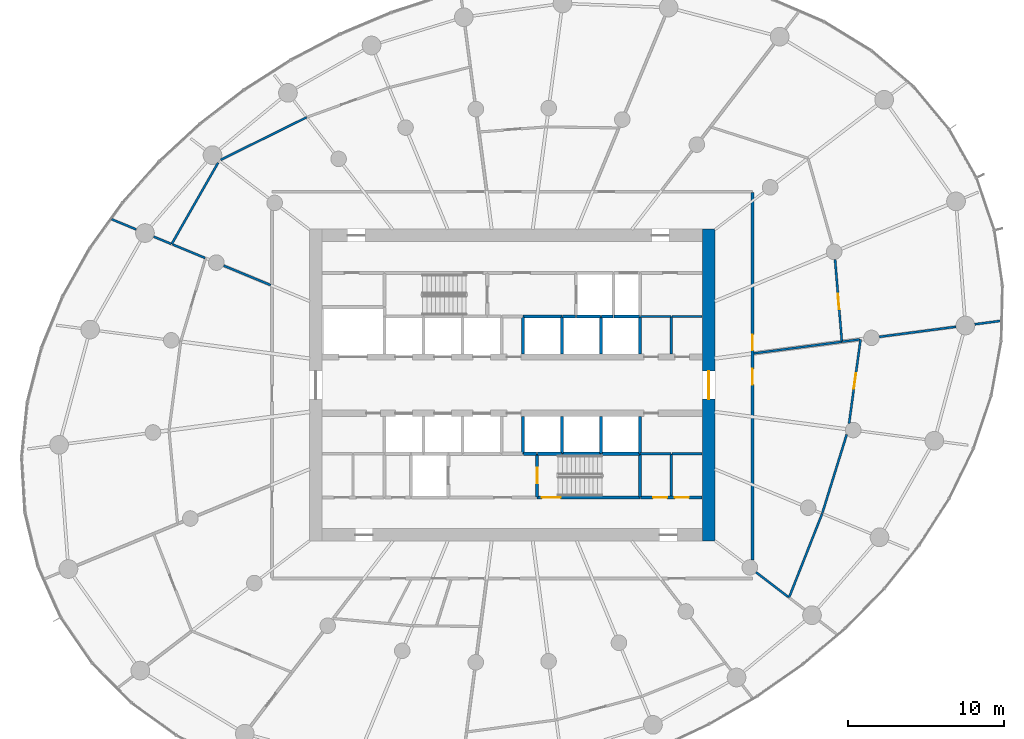
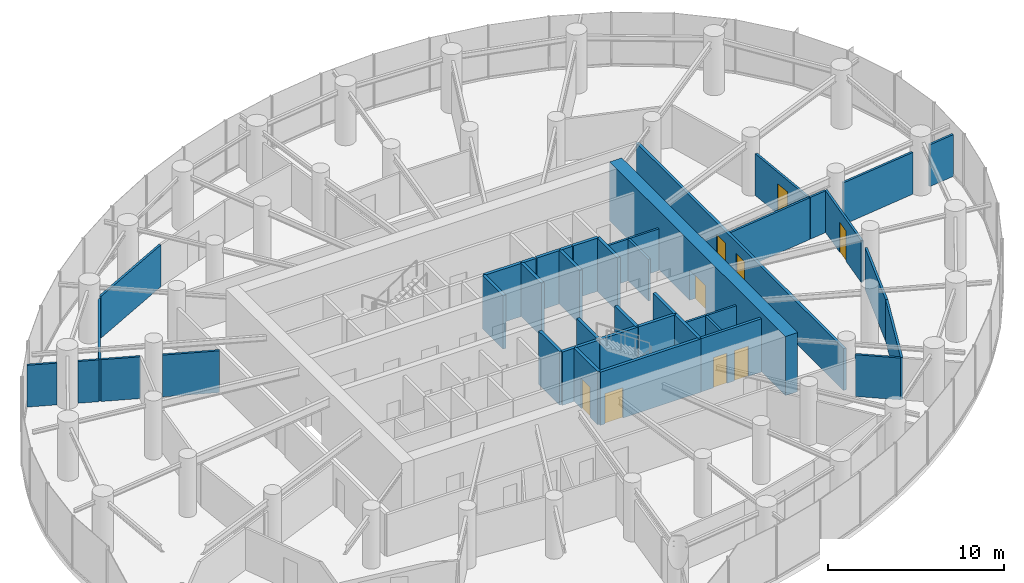
# One storey, part 12 of 17: 44 walls, 9 doors, 9 openings.
"""IFC4 building model written with IfcOpenShell, lengths in metres."""

from ifc_helpers import new_model, si_unit, direction, frame, frame_2d, origin, place, context, subcontext, project, spatial, rectangle, extrude, source, transform, mapped, material, layer, layer_set, type_object, element, fill, save


model = new_model("IFC4")

# Units and contexts
model_context = context("Model", 3, precision=1e-05, world=origin(), true_north=direction((0.0, 1.0)))
body_context = subcontext(model_context, "Body", "Model", "MODEL_VIEW")
ifc_project = project(units=[si_unit("LENGTHUNIT", "METRE"), si_unit("AREAUNIT", "SQUARE_METRE"), si_unit("VOLUMEUNIT", "CUBIC_METRE"), si_unit("PLANEANGLEUNIT", "RADIAN"), si_unit("MASSUNIT", "GRAM", prefix="KILO")], contexts=[model_context])

# Site, building, storey
site_placement = place(None, origin())
site = spatial("IfcSite", under=ifc_project, at=site_placement, CompositionType="ELEMENT")
building_placement = place(site_placement, origin())
building = spatial("IfcBuilding", under=site, at=building_placement, Name="Spindrift Exchange Tower", CompositionType="ELEMENT")
storey_placement = place(building_placement, frame((0.0, 0.0, 92.10009765625)))
storey = spatial("IfcBuildingStorey", under=building, at=storey_placement, Name="L21", CompositionType="ELEMENT", Elevation=92.10009765625)

# Wall, opening, door
ifc_material_1 = material(Name="Concrete 65 MPa", Category="concrete")
ifc_layer_1 = layer(ifc_material_1, 0.800048828125)
ifc_layer_set_1 = layer_set([ifc_layer_1], Name="RC Core Wall 800 Concrete 65 MPa")
wall_type_1 = type_object("IfcWallType", Name="RC Core Wall 800 Concrete 65 MPa", PredefinedType="SHEAR", material=ifc_layer_set_1)
wall_1_placement = place(storey_placement, frame((64.60009765625, 38.0, 0.0), z_axis=(0.0, 0.0, 1.0), x_axis=(0.0, 1.0, 0.0)))
wall_1 = element("IfcWall", 1, at=wall_1_placement, inside=storey, type_object=wall_type_1, Name="Core wall E L21", PredefinedType="SHEAR", context=body_context, shape_type="SweptSolid", body=[
    extrude(rectangle(XDim=20.0, YDim=0.800048828125, at=frame_2d((10.0, 0.0))), origin(), (0.0, 0.0, 1.0), 4.099853515625),
])
opening_1_placement = place(wall_1_placement, frame((9.10009765625, 0.0, 0.0)))
opening_1 = element("IfcOpeningElement", 2, at=opening_1_placement, cuts=wall_1, Name="Opening L21-D2", PredefinedType="OPENING", context=body_context, shape_type="SweptSolid", body=[
    extrude(rectangle(XDim=1.800048828125, YDim=2.10009765625, at=frame_2d((0.89990234375, 1.050048828125))), frame((0.0, 0.409912109375, 0.0), z_axis=(0.0, -1.0, 0.0), x_axis=(1.0, 0.0, 0.0)), (0.0, 0.0, 1.0), 0.820068359375),
])
ifc_material_2 = material(Name="Timber-core fire door", Category="wood")
door_type_1 = type_object("IfcDoorType", Name="DR-LOBBY-1800", OperationType="NOTDEFINED", PredefinedType="DOOR", material=ifc_material_2)
shared_shape_1 = source(origin(), body_context, "Body", "SweptSolid", [
    extrude(rectangle(XDim=1.800048828125, YDim=2.10009765625, at=frame_2d((0.89990234375, 1.050048828125))), frame((0.0, 0.02490234375, 0.0), z_axis=(0.0, -1.0, 0.0), x_axis=(1.0, 0.0, 0.0)), (0.0, 0.0, 1.0), 0.050048828125),
])
door_1_placement = place(opening_1_placement, origin())
door_1 = element("IfcDoor", 3, at=door_1_placement, inside=storey, type_object=door_type_1, Name="L21 Lobby door 2", OperationType="SINGLE_SWING_LEFT", OverallHeight=2.10009765625, OverallWidth=1.800048828125, PredefinedType="DOOR", context=body_context, shape_type="MappedRepresentation", body=[
    mapped(shared_shape_1, transform((0.0, 0.0, 0.0), scale=1.0)),
])
fill(opening_1, door_1)

# Wall, openings, doors
ifc_material_3 = material(Name="Fire-rated plasterboard partition", Category="gypsum")
ifc_layer_2 = layer(ifc_material_3, 0.179931640625)
ifc_layer_set_2 = layer_set([ifc_layer_2], Name="W-CORR-180")
wall_type_2 = type_object("IfcWallType", Name="W-CORR-180", PredefinedType="PARTITIONING", material=ifc_layer_set_2)
wall_2_placement = place(storey_placement, frame((60.22998046875, 40.800048828125, 0.0), z_axis=(0.0, 0.0, 1.0), x_axis=(1.0, 0.0, 0.0)))
wall_2 = element("IfcWall", 4, at=wall_2_placement, inside=storey, type_object=wall_type_2, Name="L21 Partition wall 61", PredefinedType="PARTITIONING", context=body_context, shape_type="SweptSolid", body=[
    extrude(rectangle(XDim=3.949951171875, YDim=0.179931640625, at=frame_2d((1.97509765625, 0.0))), origin(), (0.0, 0.0, 1.0), 3.699951171875),
])
opening_2_placement = place(wall_2_placement, frame((0.800048828125, 0.0, 0.0)))
opening_2 = element("IfcOpeningElement", 5, at=opening_2_placement, cuts=wall_2, Name="Opening L21-D52", PredefinedType="OPENING", context=body_context, shape_type="SweptSolid", body=[
    extrude(rectangle(XDim=0.89990234375, YDim=2.10009765625, at=frame_2d((0.449951171875, 1.050048828125))), frame((0.0, 0.099853515625, 0.0), z_axis=(0.0, -1.0, 0.0), x_axis=(1.0, 0.0, 0.0)), (0.0, 0.0, 1.0), 0.199951171875),
])
opening_3_placement = place(wall_2_placement, frame((2.199951171875, 0.0, 0.0)))
opening_3 = element("IfcOpeningElement", 6, at=opening_3_placement, cuts=wall_2, Name="Opening L21-D53", PredefinedType="OPENING", context=body_context, shape_type="SweptSolid", body=[
    extrude(rectangle(XDim=0.89990234375, YDim=2.10009765625, at=frame_2d((0.449951171875, 1.050048828125))), frame((0.0, 0.099853515625, 0.0), z_axis=(0.0, -1.0, 0.0), x_axis=(1.0, 0.0, 0.0)), (0.0, 0.0, 1.0), 0.199951171875),
])
ifc_material_4 = material(Name="Steel access door", Category="steel")
door_type_2 = type_object("IfcDoorType", Name="DR-RISER-900", OperationType="NOTDEFINED", PredefinedType="DOOR", material=ifc_material_4)
shared_shape_2 = source(origin(), body_context, "Body", "SweptSolid", [
    extrude(rectangle(XDim=0.89990234375, YDim=2.10009765625, at=frame_2d((0.449951171875, 1.050048828125))), frame((0.0, 0.02490234375, 0.0), z_axis=(0.0, -1.0, 0.0), x_axis=(1.0, 0.0, 0.0)), (0.0, 0.0, 1.0), 0.050048828125),
])
door_2_placement = place(opening_2_placement, origin())
door_2 = element("IfcDoor", 7, at=door_2_placement, inside=storey, type_object=door_type_2, Name="L21 Riser door 52", OperationType="SINGLE_SWING_LEFT", OverallHeight=2.10009765625, OverallWidth=0.89990234375, PredefinedType="DOOR", context=body_context, shape_type="MappedRepresentation", body=[
    mapped(shared_shape_2, transform((0.0, 0.0, 0.0), scale=1.0)),
])
fill(opening_2, door_2)
door_3_placement = place(opening_3_placement, origin())
door_3 = element("IfcDoor", 8, at=door_3_placement, inside=storey, type_object=door_type_2, Name="L21 Riser door 53", OperationType="SINGLE_SWING_RIGHT", OverallHeight=2.10009765625, OverallWidth=0.89990234375, PredefinedType="DOOR", context=body_context, shape_type="MappedRepresentation", body=[
    mapped(shared_shape_2, transform((0.0, 0.0, 0.0), scale=1.0)),
])
fill(opening_3, door_3)

# Walls
ifc_layer_3 = layer(ifc_material_3, 0.139892578125)
ifc_layer_set_3 = layer_set([ifc_layer_3], Name="W-PART-140")
wall_type_3 = type_object("IfcWallType", Name="W-PART-140", PredefinedType="PARTITIONING", material=ifc_layer_set_3)
wall_3_placement = place(storey_placement, frame((62.199951171875, 40.889892578125, 0.0), z_axis=(0.0, 0.0, 1.0), x_axis=(0.0, 1.0, 0.0)))
element("IfcWall", 9, at=wall_3_placement, inside=storey, type_object=wall_type_3, Name="L21 Partition wall 105", PredefinedType="PARTITIONING", context=body_context, shape_type="SweptSolid", body=[
    extrude(rectangle(XDim=2.710205078125, YDim=0.139892578125, at=frame_2d((1.35498046875, 0.0))), origin(), (0.0, 0.0, 1.0), 2.89990234375),
])
wall_4_placement = place(storey_placement, frame((62.199951171875, 50.010009765625, 0.0), z_axis=(0.0, 0.0, 1.0), x_axis=(0.0, 1.0, 0.0)))
element("IfcWall", 10, at=wall_4_placement, inside=storey, type_object=wall_type_3, Name="L21 Partition wall 108", PredefinedType="PARTITIONING", context=body_context, shape_type="SweptSolid", body=[
    extrude(rectangle(XDim=2.389892578125, YDim=0.139892578125, at=frame_2d((1.19482421875, 0.0))), origin(), (0.0, 0.0, 1.0), 2.89990234375),
])
for number, where, z_axis, x_axis, name in (
    (11, (60.22998046875, 43.60009765625, 0.0), (0.0, 0.0, 1.0), (1.0, 0.0, 0.0), "L21 Partition wall 113"),
    (12, (62.169921875, 52.39990234375, 0.0), (0.0, 0.0, 1.0), (-1.0, 0.0, 0.0), "L21 Partition wall 114"),
):
    element("IfcWall", number, at=place(storey_placement, frame(where, z_axis=z_axis, x_axis=x_axis)), inside=storey, type_object=wall_type_3, Name=name, PredefinedType="PARTITIONING", context=body_context, shape_type="SweptSolid", body=[
        extrude(rectangle(XDim=1.93994140625, YDim=0.139892578125, at=frame_2d((0.969970703125, 0.0))), origin(), (0.0, 0.0, 1.0), 2.89990234375),
    ])
for number, where, z_axis, x_axis, name in (
    (13, (62.22998046875, 43.60009765625, 0.0), (0.0, 0.0, 1.0), (1.0, 0.0, 0.0), "L21 Partition wall 115"),
    (14, (64.179931640625, 52.39990234375, 0.0), (0.0, 0.0, 1.0), (-1.0, 0.0, 0.0), "L21 Partition wall 116"),
):
    element("IfcWall", number, at=place(storey_placement, frame(where, z_axis=z_axis, x_axis=x_axis)), inside=storey, type_object=wall_type_3, Name=name, PredefinedType="PARTITIONING", context=body_context, shape_type="SweptSolid", body=[
        extrude(rectangle(XDim=1.949951171875, YDim=0.139892578125, at=frame_2d((0.97509765625, 0.0))), origin(), (0.0, 0.0, 1.0), 2.89990234375),
    ])
ifc_layer_4 = layer(ifc_material_3, 0.139892578125)
ifc_layer_set_4 = layer_set([ifc_layer_4], Name="W-PLANT-140")
wall_type_4 = type_object("IfcWallType", Name="W-PLANT-140", PredefinedType="PARTITIONING", material=ifc_layer_set_4)
wall_5_placement = place(storey_placement, frame((38.82080078125, 65.17529296875, 0.0), z_axis=(0.0, 0.0, 1.0), x_axis=(-0.896426018312, -0.443193404388, 0.0)))
element("IfcWall", 15, at=wall_5_placement, inside=storey, type_object=wall_type_4, Name="L21 Partition wall 70", PredefinedType="PARTITIONING", context=body_context, shape_type="SweptSolid", body=[
    extrude(rectangle(XDim=6.152587890625, YDim=0.139892578125, at=frame_2d((3.076171875, 0.0))), origin(), (0.0, 0.0, 1.0), 2.89990234375),
])
wall_6_placement = place(storey_placement, frame((33.14013671875, 62.2626953125, 0.0), z_axis=(0.0, 0.0, 1.0), x_axis=(-0.495587358923, -0.868558098043, 0.0)))
element("IfcWall", 16, at=wall_6_placement, inside=storey, type_object=wall_type_4, Name="L21 Partition wall 72", PredefinedType="PARTITIONING", context=body_context, shape_type="SweptSolid", body=[
    extrude(rectangle(XDim=6.007080078125, YDim=0.139892578125, at=frame_2d((3.00341796875, 0.0))), origin(), (0.0, 0.0, 1.0), 2.89990234375),
])
wall_7_placement = place(storey_placement, frame((69.7470703125, 34.382080078125, 0.0), z_axis=(0.0, 0.0, 1.0), x_axis=(0.367316282509, 0.930096096435, 0.0)))
element("IfcWall", 17, at=wall_7_placement, inside=storey, type_object=wall_type_4, Name="L21 Partition wall 75", PredefinedType="PARTITIONING", context=body_context, shape_type="SweptSolid", body=[
    extrude(rectangle(XDim=5.79052734375, YDim=0.139892578125, at=frame_2d((2.895263671875, 0.0))), origin(), (0.0, 0.0, 1.0), 2.89990234375),
])
wall_8_placement = place(storey_placement, frame((67.489990234375, 50.039306640625, 0.0), z_axis=(0.0, 0.0, 1.0), x_axis=(0.99144553959, 0.130521040556, 0.0)))
element("IfcWall", 18, at=wall_8_placement, inside=storey, type_object=wall_type_4, Name="L21 Partition wall 76", PredefinedType="PARTITIONING", context=body_context, shape_type="SweptSolid", body=[
    extrude(rectangle(XDim=5.69580078125, YDim=0.139892578125, at=frame_2d((2.847900390625, 0.0))), origin(), (0.0, 0.0, 1.0), 2.89990234375),
])

# Wall, opening, door
wall_9_placement = place(storey_placement, frame((74.33447265625, 50.9404296875, 0.0), z_axis=(0.0, 0.0, 1.0), x_axis=(-0.135203344836, -0.990817872036, 0.0)))
wall_9 = element("IfcWall", 19, at=wall_9_placement, inside=storey, type_object=wall_type_4, Name="L21 Partition wall 82", PredefinedType="PARTITIONING", context=body_context, shape_type="SweptSolid", body=[
    extrude(rectangle(XDim=5.43896484375, YDim=0.139892578125, at=frame_2d((2.719482421875, 0.0))), origin(), (0.0, 0.0, 1.0), 2.89990234375),
])
opening_4_placement = place(wall_9_placement, frame((2.188720703125, 0.0, 0.0)))
opening_4 = element("IfcOpeningElement", 20, at=opening_4_placement, cuts=wall_9, Name="Opening L21-D32", PredefinedType="OPENING", context=body_context, shape_type="SweptSolid", body=[
    extrude(rectangle(XDim=1.0, YDim=2.10009765625, at=frame_2d((0.5, 1.050048828125))), frame((0.0, 0.079833984375, 0.0), z_axis=(0.0, -1.0, 0.0), x_axis=(1.0, 0.0, 0.0)), (0.0, 0.0, 1.0), 0.159912109375),
])
door_type_3 = type_object("IfcDoorType", Name="DR-ROOM-1000", OperationType="NOTDEFINED", PredefinedType="DOOR", material=ifc_material_2)
shared_shape_3 = source(origin(), body_context, "Body", "SweptSolid", [
    extrude(rectangle(XDim=1.0, YDim=2.10009765625, at=frame_2d((0.5, 1.050048828125))), frame((0.0, 0.02490234375, 0.0), z_axis=(0.0, -1.0, 0.0), x_axis=(1.0, 0.0, 0.0)), (0.0, 0.0, 1.0), 0.050048828125),
])
door_4_placement = place(opening_4_placement, origin())
door_4 = element("IfcDoor", 21, at=door_4_placement, inside=storey, type_object=door_type_3, Name="L21 Door 32", OperationType="SINGLE_SWING_LEFT", OverallHeight=2.10009765625, OverallWidth=1.0, PredefinedType="DOOR", context=body_context, shape_type="MappedRepresentation", body=[
    mapped(shared_shape_3, transform((0.0, 0.0, 0.0), scale=1.0)),
])
fill(opening_4, door_4)

# Wall
wall_10_placement = place(storey_placement, frame((71.8828125, 39.79638671875, 0.0), z_axis=(0.0, 0.0, 1.0), x_axis=(0.296009313484, 0.955185053448, 0.0)))
element("IfcWall", 22, at=wall_10_placement, inside=storey, type_object=wall_type_4, Name="L21 Partition wall 84", PredefinedType="PARTITIONING", context=body_context, shape_type="SweptSolid", body=[
    extrude(rectangle(XDim=5.278564453125, YDim=0.139892578125, at=frame_2d((2.63916015625, 0.0))), origin(), (0.0, 0.0, 1.0), 2.89990234375),
])

# Wall, opening, door
wall_11_placement = place(storey_placement, frame((72.7001953125, 56.048095703125, 0.0), z_axis=(0.0, 0.0, 1.0), x_axis=(0.082672421763, -0.996576776109, 0.0)))
wall_11 = element("IfcWall", 23, at=wall_11_placement, inside=storey, type_object=wall_type_4, Name="L21 Partition wall 86", PredefinedType="PARTITIONING", context=body_context, shape_type="SweptSolid", body=[
    extrude(rectangle(XDim=5.253662109375, YDim=0.139892578125, at=frame_2d((2.626953125, 0.0))), origin(), (0.0, 0.0, 1.0), 2.89990234375),
])
opening_5_placement = place(wall_11_placement, frame((2.20361328125, 0.0, 0.0)))
opening_5 = element("IfcOpeningElement", 24, at=opening_5_placement, cuts=wall_11, Name="Opening L21-D34", PredefinedType="OPENING", context=body_context, shape_type="SweptSolid", body=[
    extrude(rectangle(XDim=1.0, YDim=2.10009765625, at=frame_2d((0.5, 1.050048828125))), frame((0.0, 0.079833984375, 0.0), z_axis=(0.0, -1.0, 0.0), x_axis=(1.0, 0.0, 0.0)), (0.0, 0.0, 1.0), 0.159912109375),
])
door_5_placement = place(opening_5_placement, origin())
door_5 = element("IfcDoor", 25, at=door_5_placement, inside=storey, type_object=door_type_3, Name="L21 Door 34", OperationType="SINGLE_SWING_LEFT", OverallHeight=2.10009765625, OverallWidth=1.0, PredefinedType="DOOR", context=body_context, shape_type="MappedRepresentation", body=[
    mapped(shared_shape_3, transform((0.0, 0.0, 0.0), scale=1.0)),
])
fill(opening_5, door_5)

# Walls
wall_12_placement = place(storey_placement, frame((75.533935546875, 51.098388671875, 0.0), z_axis=(0.0, 0.0, 1.0), x_axis=(0.991443414541, 0.130537181533, 0.0)))
element("IfcWall", 26, at=wall_12_placement, inside=storey, type_object=wall_type_4, Name="L21 Partition wall 89", PredefinedType="PARTITIONING", context=body_context, shape_type="SweptSolid", body=[
    extrude(rectangle(XDim=4.965576171875, YDim=0.139892578125, at=frame_2d((2.48291015625, 0.0))), origin(), (0.0, 0.0, 1.0), 2.89990234375),
])
wall_13_placement = place(storey_placement, frame((36.510009765625, 54.416259765625, 0.0), z_axis=(0.0, 0.0, 1.0), x_axis=(-0.923911109142, 0.382607190737, 0.0)))
element("IfcWall", 27, at=wall_13_placement, inside=storey, type_object=wall_type_4, Name="L21 Partition wall 99", PredefinedType="PARTITIONING", context=body_context, shape_type="SweptSolid", body=[
    extrude(rectangle(XDim=3.264404296875, YDim=0.139892578125, at=frame_2d((1.63232421875, 0.0))), origin(), (0.0, 0.0, 1.0), 2.89990234375),
])
wall_14_placement = place(storey_placement, frame((67.632568359375, 36.004638671875, 0.0), z_axis=(0.0, 0.0, 1.0), x_axis=(0.793386534399, -0.608718167164, 0.0)))
element("IfcWall", 28, at=wall_14_placement, inside=storey, type_object=wall_type_4, Name="L21 Partition wall 106", PredefinedType="PARTITIONING", context=body_context, shape_type="SweptSolid", body=[
    extrude(rectangle(XDim=2.592529296875, YDim=0.139892578125, at=frame_2d((1.29638671875, 0.0))), origin(), (0.0, 0.0, 1.0), 2.89990234375),
])
wall_15_placement = place(storey_placement, frame((32.309814453125, 56.156005859375, 0.0), z_axis=(0.0, 0.0, 1.0), x_axis=(-0.923901937079, 0.382629338474, 0.0)))
element("IfcWall", 29, at=wall_15_placement, inside=storey, type_object=wall_type_4, Name="L21 Partition wall 109", PredefinedType="PARTITIONING", context=body_context, shape_type="SweptSolid", body=[
    extrude(rectangle(XDim=2.2529296875, YDim=0.139892578125, at=frame_2d((1.12646484375, 0.0))), origin(), (0.0, 0.0, 1.0), 2.89990234375),
])
wall_16_placement = place(storey_placement, frame((27.893310546875, 57.9853515625, 0.0), z_axis=(0.0, 0.0, 1.0), x_axis=(-0.92390514321, 0.382621596816, 0.0)))
element("IfcWall", 30, at=wall_16_placement, inside=storey, type_object=wall_type_4, Name="L21 Partition wall 119", PredefinedType="PARTITIONING", context=body_context, shape_type="SweptSolid", body=[
    extrude(rectangle(XDim=1.704833984375, YDim=0.139892578125, at=frame_2d((0.8525390625, 0.0))), origin(), (0.0, 0.0, 1.0), 2.89990234375),
])
wall_17_placement = place(storey_placement, frame((81.655517578125, 51.904296875, 0.0), z_axis=(0.0, 0.0, 1.0), x_axis=(0.991450373449, 0.130484317017, 0.0)))
element("IfcWall", 31, at=wall_17_placement, inside=storey, type_object=wall_type_4, Name="L21 Partition wall 120", PredefinedType="PARTITIONING", context=body_context, shape_type="SweptSolid", body=[
    extrude(rectangle(XDim=1.695068359375, YDim=0.139892578125, at=frame_2d((0.84765625, 0.0))), origin(), (0.0, 0.0, 1.0), 2.89990234375),
])
wall_18_placement = place(storey_placement, frame((30.135498046875, 57.056640625, 0.0), z_axis=(0.0, 0.0, 1.0), x_axis=(-0.923911694708, 0.382605776723, 0.0)))
element("IfcWall", 32, at=wall_18_placement, inside=storey, type_object=wall_type_4, Name="L21 Partition wall 128", PredefinedType="PARTITIONING", context=body_context, shape_type="SweptSolid", body=[
    extrude(rectangle(XDim=1.216796875, YDim=0.139892578125, at=frame_2d((0.6083984375, 0.0))), origin(), (0.0, 0.0, 1.0), 2.89990234375),
])
wall_19_placement = place(storey_placement, frame((73.166748046875, 50.78662109375, 0.0), z_axis=(0.0, 0.0, 1.0), x_axis=(0.991440755943, 0.130557372273, 0.0)))
element("IfcWall", 33, at=wall_19_placement, inside=storey, type_object=wall_type_4, Name="L21 Partition wall 130", PredefinedType="PARTITIONING", context=body_context, shape_type="SweptSolid", body=[
    extrude(rectangle(XDim=1.105224609375, YDim=0.139892578125, at=frame_2d((0.552734375, 0.0))), origin(), (0.0, 0.0, 1.0), 2.89990234375),
])

# Wall, openings, doors
ifc_layer_5 = layer(ifc_material_3, 0.179931640625)
ifc_layer_set_5 = layer_set([ifc_layer_5], Name="W-PLANT-180")
wall_type_5 = type_object("IfcWallType", Name="W-PLANT-180", PredefinedType="PARTITIONING", material=ifc_layer_set_5)
wall_20_placement = place(storey_placement, frame((67.39990234375, 60.3701171875, 0.0), z_axis=(0.0, 0.0, 1.0), x_axis=(0.0, -1.0, 0.0)))
wall_20 = element("IfcWall", 34, at=wall_20_placement, inside=storey, type_object=wall_type_5, Name="L21 Partition wall 59", PredefinedType="PARTITIONING", context=body_context, shape_type="SweptSolid", body=[
    extrude(rectangle(XDim=23.58251953125, YDim=0.179931640625, at=frame_2d((11.791259765625, 0.0))), origin(), (0.0, 0.0, 1.0), 2.89990234375),
])
opening_6_placement = place(wall_20_placement, frame((11.33251953125, 0.0, 0.0)))
opening_6 = element("IfcOpeningElement", 35, at=opening_6_placement, cuts=wall_20, Name="Opening L21-D31", PredefinedType="OPENING", context=body_context, shape_type="SweptSolid", body=[
    extrude(rectangle(XDim=1.0, YDim=2.10009765625, at=frame_2d((0.5, 1.050048828125))), frame((0.0, 0.099853515625, 0.0), z_axis=(0.0, -1.0, 0.0), x_axis=(1.0, 0.0, 0.0)), (0.0, 0.0, 1.0), 0.199951171875),
])
opening_7_placement = place(wall_20_placement, frame((9.132568359375, 0.0, 0.0)))
opening_7 = element("IfcOpeningElement", 36, at=opening_7_placement, cuts=wall_20, Name="Opening L21-D33", PredefinedType="OPENING", context=body_context, shape_type="SweptSolid", body=[
    extrude(rectangle(XDim=1.0, YDim=2.10009765625, at=frame_2d((0.5, 1.050048828125))), frame((0.0, 0.099853515625, 0.0), z_axis=(0.0, -1.0, 0.0), x_axis=(1.0, 0.0, 0.0)), (0.0, 0.0, 1.0), 0.199951171875),
])
door_6_placement = place(opening_6_placement, origin())
door_6 = element("IfcDoor", 37, at=door_6_placement, inside=storey, type_object=door_type_3, Name="L21 Door 31", OperationType="SINGLE_SWING_RIGHT", OverallHeight=2.10009765625, OverallWidth=1.0, PredefinedType="DOOR", context=body_context, shape_type="MappedRepresentation", body=[
    mapped(shared_shape_3, transform((0.0, 0.0, 0.0), scale=1.0)),
])
fill(opening_6, door_6)
door_7_placement = place(opening_7_placement, origin())
door_7 = element("IfcDoor", 38, at=door_7_placement, inside=storey, type_object=door_type_3, Name="L21 Door 33", OperationType="SINGLE_SWING_RIGHT", OverallHeight=2.10009765625, OverallWidth=1.0, PredefinedType="DOOR", context=body_context, shape_type="MappedRepresentation", body=[
    mapped(shared_shape_3, transform((0.0, 0.0, 0.0), scale=1.0)),
])
fill(opening_7, door_7)

# Walls
ifc_material_5 = material(Name="Concrete 40 MPa", Category="concrete")
ifc_layer_6 = layer(ifc_material_5, 0.199951171875)
ifc_layer_set_6 = layer_set([ifc_layer_6], Name="W-SHAFT-200")
wall_type_6 = type_object("IfcWallType", Name="W-SHAFT-200", PredefinedType="SOLIDWALL", material=ifc_layer_set_6)
wall_21_placement = place(storey_placement, frame((55.199951171875, 52.39990234375, 0.0), z_axis=(0.0, 0.0, 1.0), x_axis=(-1.0, 0.0, 0.0)))
element("IfcWall", 39, at=wall_21_placement, inside=storey, type_object=wall_type_6, Name="L21 Shaft wall 18", PredefinedType="SOLIDWALL", context=body_context, shape_type="SweptSolid", body=[
    extrude(rectangle(XDim=2.5, YDim=0.199951171875, at=frame_2d((1.25, 0.0))), origin(), (0.0, 0.0, 1.0), 3.699951171875),
])
wall_22_placement = place(storey_placement, frame((52.699951171875, 45.989990234375, 0.0), z_axis=(0.0, 0.0, 1.0), x_axis=(0.0, -1.0, 0.0)))
element("IfcWall", 40, at=wall_22_placement, inside=storey, type_object=wall_type_6, Name="L21 Shaft wall 31", PredefinedType="SOLIDWALL", context=body_context, shape_type="SweptSolid", body=[
    extrude(rectangle(XDim=2.389892578125, YDim=0.199951171875, at=frame_2d((1.19482421875, 0.0))), origin(), (0.0, 0.0, 1.0), 3.699951171875),
])
for number, where, z_axis, x_axis, name in (
    (41, (52.699951171875, 52.3701171875, 0.0), (0.0, 0.0, 1.0), (0.0, -1.0, 0.0), "L21 Shaft wall 32"),
    (42, (55.199951171875, 50.010009765625, 0.0), (0.0, 0.0, 1.0), (0.0, 1.0, 0.0), "L21 Shaft wall 34"),
):
    element("IfcWall", number, at=place(storey_placement, frame(where, z_axis=z_axis, x_axis=x_axis)), inside=storey, type_object=wall_type_6, Name=name, PredefinedType="SOLIDWALL", context=body_context, shape_type="SweptSolid", body=[
        extrude(rectangle(XDim=2.360107421875, YDim=0.199951171875, at=frame_2d((1.18017578125, 0.0))), origin(), (0.0, 0.0, 1.0), 3.699951171875),
    ])
wall_23_placement = place(storey_placement, frame((57.699951171875, 50.010009765625, 0.0), z_axis=(0.0, 0.0, 1.0), x_axis=(0.0, 1.0, 0.0)))
element("IfcWall", 43, at=wall_23_placement, inside=storey, type_object=wall_type_6, Name="L21 Shaft wall 36", PredefinedType="SOLIDWALL", context=body_context, shape_type="SweptSolid", body=[
    extrude(rectangle(XDim=2.389892578125, YDim=0.199951171875, at=frame_2d((1.19482421875, 0.0))), origin(), (0.0, 0.0, 1.0), 3.699951171875),
])
wall_24_placement = place(storey_placement, frame((60.199951171875, 50.010009765625, 0.0), z_axis=(0.0, 0.0, 1.0), x_axis=(0.0, 1.0, 0.0)))
element("IfcWall", 44, at=wall_24_placement, inside=storey, type_object=wall_type_6, Name="L21 Shaft wall 38", PredefinedType="SOLIDWALL", context=body_context, shape_type="SweptSolid", body=[
    extrude(rectangle(XDim=2.360107421875, YDim=0.199951171875, at=frame_2d((1.18017578125, 0.0))), origin(), (0.0, 0.0, 1.0), 3.699951171875),
])
wall_25_placement = place(storey_placement, frame((60.169921875, 52.39990234375, 0.0), z_axis=(0.0, 0.0, 1.0), x_axis=(-1.0, 0.0, 0.0)))
element("IfcWall", 45, at=wall_25_placement, inside=storey, type_object=wall_type_6, Name="L21 Shaft wall 42", PredefinedType="SOLIDWALL", context=body_context, shape_type="SweptSolid", body=[
    extrude(rectangle(XDim=1.639892578125, YDim=0.199951171875, at=frame_2d((0.81982421875, 0.0))), origin(), (0.0, 0.0, 1.0), 3.699951171875),
])
wall_26_placement = place(storey_placement, frame((57.669921875, 52.39990234375, 0.0), z_axis=(0.0, 0.0, 1.0), x_axis=(-1.0, 0.0, 0.0)))
element("IfcWall", 46, at=wall_26_placement, inside=storey, type_object=wall_type_6, Name="L21 Shaft wall 47", PredefinedType="SOLIDWALL", context=body_context, shape_type="SweptSolid", body=[
    extrude(rectangle(XDim=1.5400390625, YDim=0.199951171875, at=frame_2d((0.77001953125, 0.0))), origin(), (0.0, 0.0, 1.0), 3.699951171875),
])
wall_27_placement = place(storey_placement, frame((56.070068359375, 52.39990234375, 0.0), z_axis=(0.0, 0.0, 1.0), x_axis=(-1.0, 0.0, 0.0)))
element("IfcWall", 47, at=wall_27_placement, inside=storey, type_object=wall_type_6, Name="L21 Shaft wall 53", PredefinedType="SOLIDWALL", context=body_context, shape_type="SweptSolid", body=[
    extrude(rectangle(XDim=0.840087890625, YDim=0.199951171875, at=frame_2d((0.419921875, 0.0))), origin(), (0.0, 0.0, 1.0), 3.699951171875),
])
wall_28_placement = place(storey_placement, frame((58.469970703125, 52.39990234375, 0.0), z_axis=(0.0, 0.0, 1.0), x_axis=(-1.0, 0.0, 0.0)))
element("IfcWall", 48, at=wall_28_placement, inside=storey, type_object=wall_type_6, Name="L21 Shaft wall 55", PredefinedType="SOLIDWALL", context=body_context, shape_type="SweptSolid", body=[
    extrude(rectangle(XDim=0.739990234375, YDim=0.199951171875, at=frame_2d((0.3701171875, 0.0))), origin(), (0.0, 0.0, 1.0), 3.699951171875),
])

# Wall, opening, door
ifc_layer_7 = layer(ifc_material_5, 0.199951171875)
ifc_layer_set_7 = layer_set([ifc_layer_7], Name="W-SHAFT-200-LB")
wall_type_7 = type_object("IfcWallType", Name="W-SHAFT-200-LB", PredefinedType="SOLIDWALL", material=ifc_layer_set_7)
wall_29_placement = place(storey_placement, frame((53.60009765625, 40.800048828125, 0.0), z_axis=(0.0, 0.0, 1.0), x_axis=(1.0, 0.0, 0.0)))
wall_29 = element("IfcWall", 49, at=wall_29_placement, inside=storey, type_object=wall_type_7, Name="L21 Shaft wall 2", PredefinedType="SOLIDWALL", context=body_context, shape_type="SweptSolid", body=[
    extrude(rectangle(XDim=6.599853515625, YDim=0.199951171875, at=frame_2d((3.2998046875, 0.0))), origin(), (0.0, 0.0, 1.0), 3.699951171875),
])
opening_8_placement = place(wall_29_placement, frame((0.300048828125, 0.0, 0.0)))
opening_8 = element("IfcOpeningElement", 50, at=opening_8_placement, cuts=wall_29, Name="Opening L21-D16", PredefinedType="OPENING", context=body_context, shape_type="SweptSolid", body=[
    extrude(rectangle(XDim=1.199951171875, YDim=2.10009765625, at=frame_2d((0.60009765625, 1.050048828125))), frame((0.0, 0.10986328125, 0.0), z_axis=(0.0, -1.0, 0.0), x_axis=(1.0, 0.0, 0.0)), (0.0, 0.0, 1.0), 0.219970703125),
])
ifc_material_6 = material(Name="Steel fire door", Category="steel")
door_type_4 = type_object("IfcDoorType", Name="DR-STAIR-1200", OperationType="NOTDEFINED", PredefinedType="DOOR", material=ifc_material_6)
shared_shape_4 = source(origin(), body_context, "Body", "SweptSolid", [
    extrude(rectangle(XDim=1.199951171875, YDim=2.10009765625, at=frame_2d((0.60009765625, 1.050048828125))), frame((0.0, 0.02490234375, 0.0), z_axis=(0.0, -1.0, 0.0), x_axis=(1.0, 0.0, 0.0)), (0.0, 0.0, 1.0), 0.050048828125),
])
door_8_placement = place(opening_8_placement, origin())
door_8 = element("IfcDoor", 51, at=door_8_placement, inside=storey, type_object=door_type_4, Name="L21 Stair door 16", OperationType="SINGLE_SWING_LEFT", OverallHeight=2.10009765625, OverallWidth=1.199951171875, PredefinedType="DOOR", context=body_context, shape_type="MappedRepresentation", body=[
    mapped(shared_shape_4, transform((0.0, 0.0, 0.0), scale=1.0)),
])
fill(opening_8, door_8)

# Wall
wall_30_placement = place(storey_placement, frame((60.199951171875, 40.830078125, 0.0), z_axis=(0.0, 0.0, 1.0), x_axis=(0.0, 1.0, 0.0)))
element("IfcWall", 52, at=wall_30_placement, inside=storey, type_object=wall_type_7, Name="L21 Shaft wall 10", PredefinedType="SOLIDWALL", context=body_context, shape_type="SweptSolid", body=[
    extrude(rectangle(XDim=2.77001953125, YDim=0.199951171875, at=frame_2d((1.385009765625, 0.0))), origin(), (0.0, 0.0, 1.0), 3.699951171875),
])

# Wall, opening, door
wall_31_placement = place(storey_placement, frame((53.60009765625, 43.60009765625, 0.0), z_axis=(0.0, 0.0, 1.0), x_axis=(0.0, -1.0, 0.0)))
wall_31 = element("IfcWall", 53, at=wall_31_placement, inside=storey, type_object=wall_type_7, Name="L21 Shaft wall 11", PredefinedType="SOLIDWALL", context=body_context, shape_type="SweptSolid", body=[
    extrude(rectangle(XDim=2.77001953125, YDim=0.199951171875, at=frame_2d((1.385009765625, 0.0))), origin(), (0.0, 0.0, 1.0), 3.699951171875),
])
opening_9_placement = place(wall_31_placement, frame((0.89990234375, 0.0, 0.0)))
opening_9 = element("IfcOpeningElement", 54, at=opening_9_placement, cuts=wall_31, Name="Opening L21-D17", PredefinedType="OPENING", context=body_context, shape_type="SweptSolid", body=[
    extrude(rectangle(XDim=1.0, YDim=2.10009765625, at=frame_2d((0.5, 1.050048828125))), frame((0.0, 0.10986328125, 0.0), z_axis=(0.0, -1.0, 0.0), x_axis=(1.0, 0.0, 0.0)), (0.0, 0.0, 1.0), 0.219970703125),
])
door_type_5 = type_object("IfcDoorType", Name="DR-STAIR-1000", OperationType="NOTDEFINED", PredefinedType="DOOR", material=ifc_material_6)
shared_shape_5 = source(origin(), body_context, "Body", "SweptSolid", [
    extrude(rectangle(XDim=1.0, YDim=2.10009765625, at=frame_2d((0.5, 1.050048828125))), frame((0.0, 0.02490234375, 0.0), z_axis=(0.0, -1.0, 0.0), x_axis=(1.0, 0.0, 0.0)), (0.0, 0.0, 1.0), 0.050048828125),
])
door_9_placement = place(opening_9_placement, origin())
door_9 = element("IfcDoor", 55, at=door_9_placement, inside=storey, type_object=door_type_5, Name="L21 Stair door 17", OperationType="SINGLE_SWING_RIGHT", OverallHeight=2.10009765625, OverallWidth=1.0, PredefinedType="DOOR", context=body_context, shape_type="MappedRepresentation", body=[
    mapped(shared_shape_5, transform((0.0, 0.0, 0.0), scale=1.0)),
])
fill(opening_9, door_9)

# Walls
wall_32_placement = place(storey_placement, frame((55.199951171875, 43.60009765625, 0.0), z_axis=(0.0, 0.0, 1.0), x_axis=(1.0, 0.0, 0.0)))
element("IfcWall", 56, at=wall_32_placement, inside=storey, type_object=wall_type_7, Name="L21 Shaft wall 19", PredefinedType="SOLIDWALL", context=body_context, shape_type="SweptSolid", body=[
    extrude(rectangle(XDim=2.5, YDim=0.199951171875, at=frame_2d((1.25, 0.0))), origin(), (0.0, 0.0, 1.0), 3.699951171875),
])
wall_33_placement = place(storey_placement, frame((57.72998046875, 43.60009765625, 0.0), z_axis=(0.0, 0.0, 1.0), x_axis=(1.0, 0.0, 0.0)))
element("IfcWall", 57, at=wall_33_placement, inside=storey, type_object=wall_type_7, Name="L21 Shaft wall 20", PredefinedType="SOLIDWALL", context=body_context, shape_type="SweptSolid", body=[
    extrude(rectangle(XDim=2.43994140625, YDim=0.199951171875, at=frame_2d((1.219970703125, 0.0))), origin(), (0.0, 0.0, 1.0), 3.699951171875),
])
for number, where, z_axis, x_axis, name in (
    (58, (55.199951171875, 43.6298828125, 0.0), (0.0, 0.0, 1.0), (0.0, 1.0, 0.0), "L21 Shaft wall 33"),
    (59, (57.699951171875, 43.6298828125, 0.0), (0.0, 0.0, 1.0), (0.0, 1.0, 0.0), "L21 Shaft wall 35"),
    (60, (60.199951171875, 43.6298828125, 0.0), (0.0, 0.0, 1.0), (0.0, 1.0, 0.0), "L21 Shaft wall 37"),
):
    element("IfcWall", number, at=place(storey_placement, frame(where, z_axis=z_axis, x_axis=x_axis)), inside=storey, type_object=wall_type_7, Name=name, PredefinedType="SOLIDWALL", context=body_context, shape_type="SweptSolid", body=[
        extrude(rectangle(XDim=2.360107421875, YDim=0.199951171875, at=frame_2d((1.18017578125, 0.0))), origin(), (0.0, 0.0, 1.0), 3.699951171875),
    ])
wall_34_placement = place(storey_placement, frame((53.6298828125, 43.60009765625, 0.0), z_axis=(0.0, 0.0, 1.0), x_axis=(1.0, 0.0, 0.0)))
element("IfcWall", 61, at=wall_34_placement, inside=storey, type_object=wall_type_7, Name="L21 Shaft wall 46", PredefinedType="SOLIDWALL", context=body_context, shape_type="SweptSolid", body=[
    extrude(rectangle(XDim=1.5400390625, YDim=0.199951171875, at=frame_2d((0.77001953125, 0.0))), origin(), (0.0, 0.0, 1.0), 3.699951171875),
])
wall_35_placement = place(storey_placement, frame((52.72998046875, 43.60009765625, 0.0), z_axis=(0.0, 0.0, 1.0), x_axis=(1.0, 0.0, 0.0)))
element("IfcWall", 62, at=wall_35_placement, inside=storey, type_object=wall_type_7, Name="L21 Shaft wall 52", PredefinedType="SOLIDWALL", context=body_context, shape_type="SweptSolid", body=[
    extrude(rectangle(XDim=0.840087890625, YDim=0.199951171875, at=frame_2d((0.419921875, 0.0))), origin(), (0.0, 0.0, 1.0), 3.699951171875),
])

save(model, "model.ifc")
